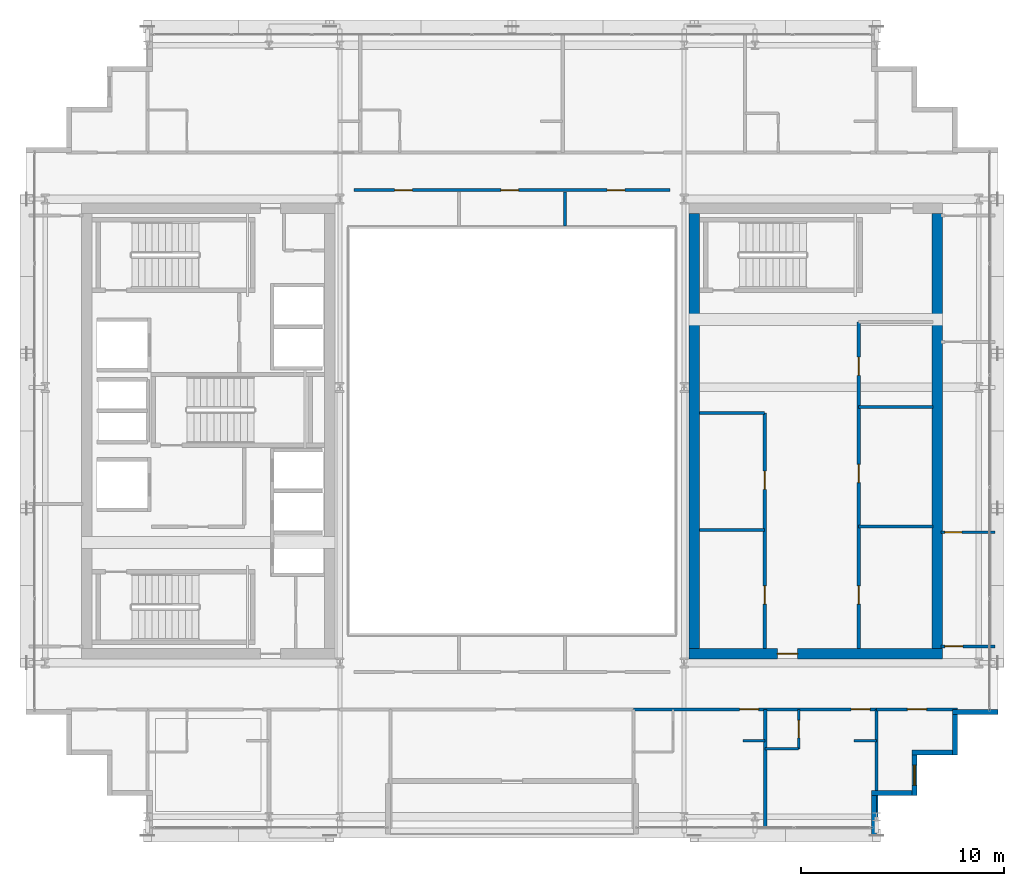
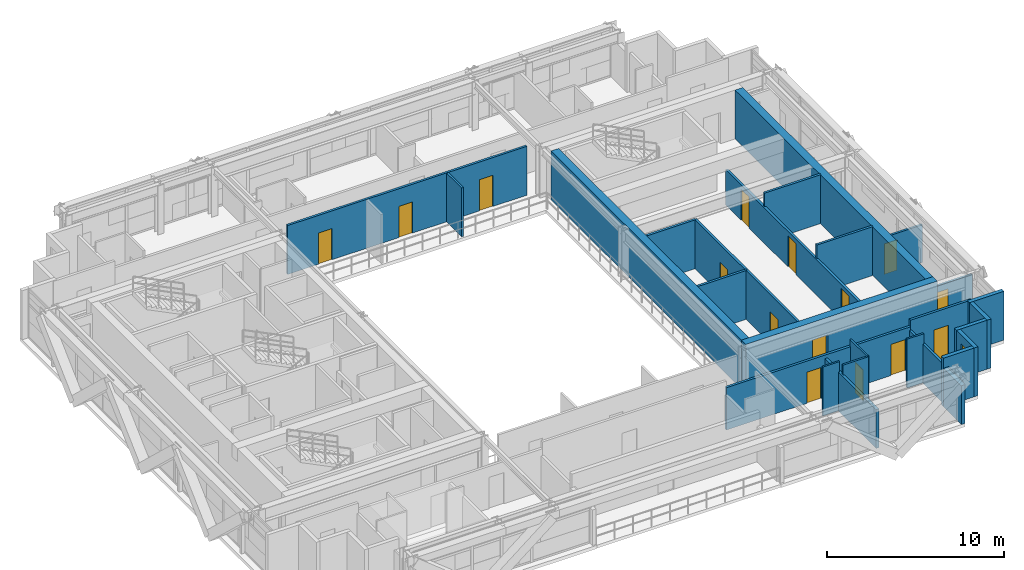
# One storey, part 26 of 32: 27 walls, 15 doors, 1 window, 16 openings.
"""IFC4 building model written with IfcOpenShell, lengths in metres."""

import ifcopenshell
import ifcopenshell.guid

model = None  # the IFC model being written
_history = None  # IfcOwnerHistory: only IFC2X3 demands one
_inside = {}  # id of a spatial element -> (the spatial element, [elements in it])
_under = {}  # id of a project, library or spatial element -> (it, [spatial elements below it])
_declared = {}  # id of a project -> (the project, [libraries it declares])
_typed = {}  # id of a type object -> (the type object, [elements of that type])
_made_of = {}  # id of a material, layer set ... -> (it, [elements and type objects made of it])


def new_model(schema):
    """Start an empty IFC model of exactly this schema.

    Asked for "IFC4X3", IfcOpenShell would pick the latest addendum, in which some entities
    have other attributes; the version numbers below select the first issue.
    IFC2X3 requires an IfcOwnerHistory on every rooted entity: one is made here for all.
    """
    global model, _history
    if schema == "IFC4X3":
        model = ifcopenshell.file(schema_version=(4, 3, 0, 0))
    else:
        model = ifcopenshell.file(schema=schema)
    _inside.clear()
    _under.clear()
    _declared.clear()
    _typed.clear()
    _made_of.clear()
    _history = None
    if model.schema == "IFC2X3":
        org = make("IfcOrganization", Name="unknown")
        user = make(
            "IfcPersonAndOrganization",
            ThePerson=make("IfcPerson", FamilyName="unknown"),
            TheOrganization=org,
        )
        app = make(
            "IfcApplication",
            ApplicationDeveloper=org,
            Version="unknown",
            ApplicationFullName="unknown",
            ApplicationIdentifier="unknown",
        )
        _history = make(
            "IfcOwnerHistory",
            OwningUser=user,
            OwningApplication=app,
            ChangeAction="ADDED",
            CreationDate=0,
        )
    return model


def make(cls, **values):
    """One entity of the class cls with the attributes given. An attribute that is None is left unset."""
    return model.create_entity(
        cls, **{name: value for name, value in values.items() if value is not None}
    )


def rooted(cls, **values):
    """An entity with a GlobalId (a new one), such as an element, a storey or a relation."""
    return make(cls, GlobalId=ifcopenshell.guid.new(), OwnerHistory=_history, **values)


def si_unit(unit_type, name, prefix=None):
    """IfcSIUnit, for example si_unit("LENGTHUNIT", "METRE", prefix="MILLI")."""
    return make("IfcSIUnit", UnitType=unit_type, Prefix=prefix, Name=name)


def assignment(units):
    """IfcUnitAssignment: the units of a project."""
    return None if units is None else make("IfcUnitAssignment", Units=units)


def point(xyz):
    """IfcCartesianPoint."""
    return None if xyz is None else make("IfcCartesianPoint", Coordinates=xyz)


def direction(xyz):
    """IfcDirection."""
    return None if xyz is None else make("IfcDirection", DirectionRatios=xyz)


def frame(location, z_axis=None, x_axis=None):
    """IfcAxis2Placement3D, a coordinate frame: its origin and axes. An axis left out is left unset."""
    return make(
        "IfcAxis2Placement3D",
        Location=point(location),
        Axis=direction(z_axis),
        RefDirection=direction(x_axis),
    )


def frame_2d(location, x_axis=None):
    """IfcAxis2Placement2D, a coordinate frame in the plane: its origin and x axis."""
    return make(
        "IfcAxis2Placement2D", Location=point(location), RefDirection=direction(x_axis)
    )


def origin():
    """The frame at (0, 0, 0) with its axes left unset."""
    return frame((0.0, 0.0, 0.0))


def place(relative_to, where):
    """IfcLocalPlacement: puts the frame where relative to a parent placement (None: the world)."""
    return make(
        "IfcLocalPlacement", PlacementRelTo=relative_to, RelativePlacement=where
    )


def context(
    kind, dimensions, precision=None, world=None, true_north=None, identifier=None
):
    """IfcGeometricRepresentationContext, for example the 3D "Model" context."""
    return make(
        "IfcGeometricRepresentationContext",
        ContextIdentifier=identifier,
        ContextType=kind,
        CoordinateSpaceDimension=dimensions,
        Precision=precision,
        WorldCoordinateSystem=world,
        TrueNorth=true_north,
    )


def subcontext(parent, identifier, kind, view, scale=None):
    """IfcGeometricRepresentationSubContext, for example "Body" below "Model"."""
    return make(
        "IfcGeometricRepresentationSubContext",
        ContextIdentifier=identifier,
        ContextType=kind,
        ParentContext=parent,
        TargetScale=scale,
        TargetView=view,
    )


def project(units=None, contexts=None):
    """IfcProject with its units and contexts."""
    return rooted(
        "IfcProject",
        Name="project",
        RepresentationContexts=contexts,
        UnitsInContext=assignment(units),
    )


def spatial(cls, under=None, at=None, **own):
    """A site, building, storey or space (cls), placed at a placement, below another one or the project."""
    s = rooted(cls, ObjectPlacement=at, **own)
    if under is not None:
        _under.setdefault(under.id(), (under, []))[1].append(s)
    return s


def profile(cls, at=None, kind="AREA", **sizes):
    """A parametric profile (cls). Its sizes go by their IFC names, for example OverallWidth=200.0."""
    return make(cls, ProfileType=kind, Position=at, **sizes)


def rectangle(**sizes):
    """IfcRectangleProfileDef."""
    return profile("IfcRectangleProfileDef", **sizes)


def extrude(swept, where, along, depth):
    """IfcExtrudedAreaSolid: the profile swept, set in the frame where, extruded along a direction by depth."""
    return make(
        "IfcExtrudedAreaSolid",
        SweptArea=swept,
        Position=where,
        ExtrudedDirection=direction(along),
        Depth=depth,
    )


def shape(context_of_items, identifier, shape_type, items):
    """IfcShapeRepresentation: the items that make up one representation, for example the "Body"."""
    return make(
        "IfcShapeRepresentation",
        ContextOfItems=context_of_items,
        RepresentationIdentifier=identifier,
        RepresentationType=shape_type,
        Items=items,
    )


def source(mapping_origin, context_of_items, identifier, shape_type, items):
    """IfcRepresentationMap: a shape defined once, which mapped items show again and again."""
    return make(
        "IfcRepresentationMap",
        MappingOrigin=mapping_origin,
        MappedRepresentation=shape(context_of_items, identifier, shape_type, items),
    )


def transform(
    local_origin,
    x_axis=None,
    y_axis=None,
    z_axis=None,
    scale=None,
    scale2=None,
    scale3=None,
    uniform=True,
):
    """IfcCartesianTransformationOperator3D, or its non-uniform kind. x_axis, y_axis, z_axis: its Axis1, 2, 3."""
    if uniform:
        return make(
            "IfcCartesianTransformationOperator3D",
            Axis1=direction(x_axis),
            Axis2=direction(y_axis),
            LocalOrigin=point(local_origin),
            Scale=scale,
            Axis3=direction(z_axis),
        )
    return make(
        "IfcCartesianTransformationOperator3DnonUniform",
        Axis1=direction(x_axis),
        Axis2=direction(y_axis),
        LocalOrigin=point(local_origin),
        Scale=scale,
        Axis3=direction(z_axis),
        Scale2=scale2,
        Scale3=scale3,
    )


def mapped(mapping_source, mapping_target):
    """IfcMappedItem: shows the shape of a source again, moved by a transform."""
    return make(
        "IfcMappedItem", MappingSource=mapping_source, MappingTarget=mapping_target
    )


def material(Name=None, Category=None):
    """IfcMaterial."""
    return make("IfcMaterial", Name=Name, Category=Category)


def layer(
    of_material, thickness, ventilated=None, Name=None, Category=None, Priority=None
):
    """IfcMaterialLayer: one layer of a wall or slab, of a material (None: an air gap)."""
    return make(
        "IfcMaterialLayer",
        Material=of_material,
        LayerThickness=thickness,
        IsVentilated=ventilated,
        Name=Name,
        Category=Category,
        Priority=Priority,
    )


def layer_set(layers, Name=None):
    """IfcMaterialLayerSet."""
    return make("IfcMaterialLayerSet", MaterialLayers=layers, LayerSetName=Name)


def made_of(thing, what):
    """Note that an element or type object is made of a material, layer set ...; save() writes the relation."""
    if what is not None:
        _made_of.setdefault(what.id(), (what, []))[1].append(thing)
    return thing


def type_object(cls, material=None, **own):
    """A type object (cls), such as IfcWallType, which elements share."""
    return made_of(rooted(cls, **own), material)


def element(
    cls,
    number,
    at=None,
    inside=None,
    cuts=None,
    type_object=None,
    material=None,
    context=None,
    identifier="Body",
    shape_type=None,
    held_by="IfcProductDefinitionShape",
    body=None,
    shapes=None,
    **own,
):
    """One element of the class cls, such as IfcWall. Its Tag is "e" and its number.

    at: its placement. inside: the storey or other place that contains it. cuts: it is an
    opening in that element (IfcRelVoidsElement). A single representation is given by context,
    identifier, shape_type and body (its items); several are given by shapes. held_by: the class
    of the entity that holds the representations. save() writes the other relations.
    """
    e = rooted(cls, Tag="e%d" % number, ObjectPlacement=at, **own)
    if body is not None:
        shapes = [shape(context, identifier, shape_type, body)]
    if shapes is not None:
        e.Representation = make(held_by, Representations=shapes)
    if inside is not None:
        _inside.setdefault(inside.id(), (inside, []))[1].append(e)
    if cuts is not None:
        rooted(
            "IfcRelVoidsElement", RelatingBuildingElement=cuts, RelatedOpeningElement=e
        )
    if type_object is not None:
        _typed.setdefault(type_object.id(), (type_object, []))[1].append(e)
    return made_of(e, material)


def fill(opening, filler):
    """IfcRelFillsElement: the door or window that sits in an opening."""
    return rooted(
        "IfcRelFillsElement",
        RelatingOpeningElement=opening,
        RelatedBuildingElement=filler,
    )


def aggregate(whole, parts):
    """IfcRelAggregates: a whole, such as a stair, and the parts it consists of."""
    return rooted("IfcRelAggregates", RelatingObject=whole, RelatedObjects=parts)


def save(model, path):
    """Write the relations noted so far, then the file.

    IfcRelAggregates (storeys below a building ...), IfcRelContainedInSpatialStructure (elements
    in a storey), IfcRelDefinesByType, IfcRelAssociatesMaterial and IfcRelDeclares: one each for
    every whole, place, type object, material and project.
    """
    for whole, parts in _under.values():
        aggregate(whole, parts)
    for where, things in _inside.values():
        rooted(
            "IfcRelContainedInSpatialStructure",
            RelatedElements=things,
            RelatingStructure=where,
        )
    for kind, things in _typed.values():
        rooted("IfcRelDefinesByType", RelatedObjects=things, RelatingType=kind)
    for what, things in _made_of.values():
        rooted("IfcRelAssociatesMaterial", RelatedObjects=things, RelatingMaterial=what)
    for by, libraries in _declared.values():
        rooted("IfcRelDeclares", RelatingContext=by, RelatedDefinitions=libraries)
    model.write(path)


model = new_model("IFC4")

# Units and contexts
model_context = context("Model", 3, precision=1e-05, world=origin(), true_north=direction((0.0, 1.0)))
body_context = subcontext(model_context, "Body", "Model", "MODEL_VIEW")
ifc_project = project(units=[si_unit("LENGTHUNIT", "METRE"), si_unit("AREAUNIT", "SQUARE_METRE"), si_unit("VOLUMEUNIT", "CUBIC_METRE"), si_unit("PLANEANGLEUNIT", "RADIAN"), si_unit("MASSUNIT", "GRAM", prefix="KILO")], contexts=[model_context])

# Site, building, storey
site_placement = place(None, origin())
site = spatial("IfcSite", under=ifc_project, at=site_placement, CompositionType="ELEMENT")
building_placement = place(site_placement, origin())
building = spatial("IfcBuilding", under=site, at=building_placement, Name="Ocotamira Hotel", CompositionType="ELEMENT")
storey_placement = place(building_placement, frame((0.0, 0.0, 213.60009765625)))
storey = spatial("IfcBuildingStorey", under=building, at=storey_placement, Name="L54", CompositionType="ELEMENT", Elevation=213.60009765625)

# Wall, opening, door
ifc_material_1 = material(Name="Concrete C50/60", Category="concrete")
ifc_layer_1 = layer(ifc_material_1, 0.5)
ifc_layer_set_1 = layer_set([ifc_layer_1], Name="Concrete C50/60")
wall_type_1 = type_object("IfcWallType", Name="WL-CORE-500", PredefinedType="SHEAR", material=ifc_layer_set_1)
wall_1_placement = place(storey_placement, frame((40.75, 15.0, 0.0), z_axis=(0.0, 0.0, 1.0), x_axis=(1.0, 0.0, 0.0)))
wall_1 = element("IfcWall", 1, at=wall_1_placement, inside=storey, type_object=wall_type_1, Name="L54 Shear Core Wall ECORE-S", PredefinedType="SHEAR", context=body_context, shape_type="SweptSolid", body=[
    extrude(rectangle(XDim=12.5, YDim=0.5, at=frame_2d((6.25, 0.0))), origin(), (0.0, 0.0, 1.0), 3.369873046875),
])
opening_1_placement = place(wall_1_placement, frame((4.35009765625, 0.0, 0.0)))
opening_1 = element("IfcOpeningElement", 2, at=opening_1_placement, cuts=wall_1, Name="Opening D-FR2", PredefinedType="OPENING", context=body_context, shape_type="SweptSolid", body=[
    extrude(rectangle(XDim=1.0, YDim=2.14990234375, at=frame_2d((0.5, 1.074951171875))), frame((0.0, 0.260009765625, 0.0), z_axis=(0.0, -1.0, 0.0), x_axis=(1.0, 0.0, 0.0)), (0.0, 0.0, 1.0), 0.52001953125),
])
ifc_material_2 = material(Name="Fire-rated acoustic timber-veneer door", Category="wood")
door_type_1 = type_object("IfcDoorType", Name="DR-FIRE-1000", OperationType="NOTDEFINED", PredefinedType="DOOR", material=ifc_material_2)
shared_shape_1 = source(origin(), body_context, "Body", "SweptSolid", [
    extrude(rectangle(XDim=1.0, YDim=2.14990234375, at=frame_2d((0.5, 1.074951171875))), frame((0.0, 0.02490234375, 0.0), z_axis=(0.0, -1.0, 0.0), x_axis=(1.0, 0.0, 0.0)), (0.0, 0.0, 1.0), 0.050048828125),
])
door_1_placement = place(opening_1_placement, origin())
door_1 = element("IfcDoor", 3, at=door_1_placement, inside=storey, type_object=door_type_1, Name="L54 Door ID-L54-ELOB-S-D [ID-L54-ELOB-S-D]", OperationType="SINGLE_SWING_RIGHT", OverallHeight=2.14990234375, OverallWidth=1.0, PredefinedType="DOOR", context=body_context, shape_type="MappedRepresentation", body=[
    mapped(shared_shape_1, transform((0.0, 0.0, 0.0), scale=1.0)),
])
fill(opening_1, door_1)

# Walls
for number, where, z_axis, x_axis, name in (
    (4, (41.0, 15.25, 0.0), (0.0, 0.0, 1.0), (0.0, 1.0, 0.0), "L54 Shear Core Wall ECORE-W"),
    (5, (53.0, 15.25, 0.0), (0.0, 0.0, 1.0), (0.0, 1.0, 0.0), "L54 Shear Core Wall ECORE-E"),
):
    element("IfcWall", number, at=place(storey_placement, frame(where, z_axis=z_axis, x_axis=x_axis)), inside=storey, type_object=wall_type_1, Name=name, PredefinedType="SHEAR", context=body_context, shape_type="SweptSolid", body=[
        extrude(rectangle(XDim=21.5, YDim=0.5, at=frame_2d((10.75, 0.0))), origin(), (0.0, 0.0, 1.0), 3.369873046875),
    ])
ifc_material_3 = material(Name="Precast concrete C45/55", Category="concrete")
ifc_layer_2 = layer(ifc_material_3, 0.25)
ifc_layer_set_2 = layer_set([ifc_layer_2], Name="Precast concrete C45/55")
wall_type_2 = type_object("IfcWallType", Name="WL-EXT-SER-250", PredefinedType="SOLIDWALL", material=ifc_layer_set_2)
wall_2_placement = place(storey_placement, frame((49.875, 6.0, 0.0), z_axis=(0.0, 0.0, 1.0), x_axis=(0.0, 1.0, 0.0)))
element("IfcWall", 6, at=wall_2_placement, inside=storey, type_object=wall_type_2, Name="L54 Serrated Corner Wall 01", PredefinedType="SOLIDWALL", context=body_context, shape_type="SweptSolid", body=[
    extrude(rectangle(XDim=2.0, YDim=0.25, at=frame_2d((1.0, 0.0))), origin(), (0.0, 0.0, 1.0), 2.677001953125),
])
wall_3_placement = place(storey_placement, frame((49.75, 8.125, 0.0), z_axis=(0.0, 0.0, 1.0), x_axis=(1.0, 0.0, 0.0)))
element("IfcWall", 7, at=wall_3_placement, inside=storey, type_object=wall_type_2, Name="L54 Serrated Corner Wall 02", PredefinedType="SOLIDWALL", context=body_context, shape_type="SweptSolid", body=[
    extrude(rectangle(XDim=2.0, YDim=0.25, at=frame_2d((1.0, 0.0))), origin(), (0.0, 0.0, 1.0), 3.369873046875),
])

# Wall, opening, window
wall_4_placement = place(storey_placement, frame((51.875, 8.0, 0.0), z_axis=(0.0, 0.0, 1.0), x_axis=(0.0, 1.0, 0.0)))
wall_4 = element("IfcWall", 8, at=wall_4_placement, inside=storey, type_object=wall_type_2, Name="L54 Serrated Corner Wall 03", PredefinedType="SOLIDWALL", context=body_context, shape_type="SweptSolid", body=[
    extrude(rectangle(XDim=2.0, YDim=0.25, at=frame_2d((1.0, 0.0))), origin(), (0.0, 0.0, 1.0), 3.369873046875),
])
opening_2_placement = place(wall_4_placement, frame((0.5, 0.0, 0.85009765625)))
opening_2 = element("IfcOpeningElement", 9, at=opening_2_placement, cuts=wall_4, Name="Opening WN-2", PredefinedType="OPENING", context=body_context, shape_type="SweptSolid", body=[
    extrude(rectangle(XDim=1.0, YDim=1.89990234375, at=frame_2d((0.5, 0.949951171875))), frame((0.0, 0.135009765625, 0.0), z_axis=(0.0, -1.0, 0.0), x_axis=(1.0, 0.0, 0.0)), (0.0, 0.0, 1.0), 0.27001953125),
])
ifc_material_4 = material(Name="Double-silver low-E solar glass", Category="glass")
window_type = type_object("IfcWindowType", Name="WIN-SER-1100", PartitioningType="SINGLE_PANEL", PredefinedType="WINDOW", material=ifc_material_4)
shared_shape_2 = source(origin(), body_context, "Body", "SweptSolid", [
    extrude(rectangle(XDim=1.0, YDim=1.89990234375, at=frame_2d((0.5, 0.949951171875))), frame((0.0, 0.030029296875, 0.0), z_axis=(0.0, -1.0, 0.0), x_axis=(1.0, 0.0, 0.0)), (0.0, 0.0, 1.0), 0.06005859375),
])
window_placement = place(opening_2_placement, origin())
window = element("IfcWindow", 10, at=window_placement, inside=storey, type_object=window_type, Name="L54 Serrated Corner Window 03", OverallHeight=1.89990234375, OverallWidth=1.0, PartitioningType="SINGLE_PANEL", PredefinedType="WINDOW", context=body_context, shape_type="MappedRepresentation", body=[
    mapped(shared_shape_2, transform((0.0, 0.0, 0.0), scale=1.0)),
])
fill(opening_2, window)

# Walls
for number, where, z_axis, x_axis, name in (
    (11, (51.75, 10.125, 0.0), (0.0, 0.0, 1.0), (1.0, 0.0, 0.0), "L54 Serrated Corner Wall 04"),
    (12, (53.875, 10.0, 0.0), (0.0, 0.0, 1.0), (0.0, 1.0, 0.0), "L54 Serrated Corner Wall 05"),
):
    element("IfcWall", number, at=place(storey_placement, frame(where, z_axis=z_axis, x_axis=x_axis)), inside=storey, type_object=wall_type_2, Name=name, PredefinedType="SOLIDWALL", context=body_context, shape_type="SweptSolid", body=[
        extrude(rectangle(XDim=2.0, YDim=0.25, at=frame_2d((1.0, 0.0))), origin(), (0.0, 0.0, 1.0), 3.369873046875),
    ])
wall_5_placement = place(storey_placement, frame((53.75, 12.125, 0.0), z_axis=(0.0, 0.0, 1.0), x_axis=(1.0, 0.0, 0.0)))
element("IfcWall", 13, at=wall_5_placement, inside=storey, type_object=wall_type_2, Name="L54 Serrated Corner Wall 06", PredefinedType="SOLIDWALL", context=body_context, shape_type="SweptSolid", body=[
    extrude(rectangle(XDim=2.25, YDim=0.25, at=frame_2d((1.125, 0.0))), origin(), (0.0, 0.0, 1.0), 3.369873046875),
])

# Wall, openings, doors
ifc_material_5 = material(Name="Acoustic double-layer fire gypsum board partition", Category="gypsum")
ifc_layer_3 = layer(ifc_material_5, 0.159912109375)
ifc_layer_set_3 = layer_set([ifc_layer_3], Name="Acoustic double-layer fire gypsum board partition")
wall_type_3 = type_object("IfcWallType", Name="WL-FIRE-160", PredefinedType="PARTITIONING", material=ifc_layer_set_3)
wall_6_placement = place(storey_placement, frame((49.1201171875, 15.25, 0.0), z_axis=(0.0, 0.0, 1.0), x_axis=(0.0, 1.0, 0.0)))
wall_6 = element("IfcWall", 14, at=wall_6_placement, inside=storey, type_object=wall_type_3, Name="L54 Interior Wall PW-L54-EC-FLOW-W", PredefinedType="PARTITIONING", context=body_context, shape_type="SweptSolid", body=[
    extrude(rectangle(XDim=16.1298828125, YDim=0.159912109375, at=frame_2d((8.06494140625, 0.0))), origin(), (0.0, 0.0, 1.0), 2.44287109375),
])
opening_3_placement = place(wall_6_placement, frame((2.199951171875, 0.0, 0.0)))
opening_3 = element("IfcOpeningElement", 15, at=opening_3_placement, cuts=wall_6, Name="Opening D-IN3", PredefinedType="OPENING", context=body_context, shape_type="SweptSolid", body=[
    extrude(rectangle(XDim=0.89990234375, YDim=2.14990234375, at=frame_2d((0.449951171875, 1.074951171875))), frame((0.0, 0.08984375, 0.0), z_axis=(0.0, -1.0, 0.0), x_axis=(1.0, 0.0, 0.0)), (0.0, 0.0, 1.0), 0.179931640625),
])
opening_4_placement = place(wall_6_placement, frame((8.199951171875, 0.0, 0.0)))
opening_4 = element("IfcOpeningElement", 16, at=opening_4_placement, cuts=wall_6, Name="Opening D-IN3", PredefinedType="OPENING", context=body_context, shape_type="SweptSolid", body=[
    extrude(rectangle(XDim=0.89990234375, YDim=2.14990234375, at=frame_2d((0.449951171875, 1.074951171875))), frame((0.0, 0.08984375, 0.0), z_axis=(0.0, -1.0, 0.0), x_axis=(1.0, 0.0, 0.0)), (0.0, 0.0, 1.0), 0.179931640625),
])
opening_5_placement = place(wall_6_placement, frame((13.5, 0.0, 0.0)))
opening_5 = element("IfcOpeningElement", 17, at=opening_5_placement, cuts=wall_6, Name="Opening D-IN3", PredefinedType="OPENING", context=body_context, shape_type="SweptSolid", body=[
    extrude(rectangle(XDim=0.89990234375, YDim=2.14990234375, at=frame_2d((0.449951171875, 1.074951171875))), frame((0.0, 0.08984375, 0.0), z_axis=(0.0, -1.0, 0.0), x_axis=(1.0, 0.0, 0.0)), (0.0, 0.0, 1.0), 0.179931640625),
])
ifc_material_6 = material(Name="Painted service room door", Category="steel")
door_type_2 = type_object("IfcDoorType", Name="DR-INT-900", OperationType="NOTDEFINED", PredefinedType="DOOR", material=ifc_material_6)
shared_shape_3 = source(origin(), body_context, "Body", "SweptSolid", [
    extrude(rectangle(XDim=0.89990234375, YDim=2.14990234375, at=frame_2d((0.449951171875, 1.074951171875))), frame((0.0, 0.02490234375, 0.0), z_axis=(0.0, -1.0, 0.0), x_axis=(1.0, 0.0, 0.0)), (0.0, 0.0, 1.0), 0.050048828125),
])
door_2_placement = place(opening_3_placement, origin())
door_2 = element("IfcDoor", 18, at=door_2_placement, inside=storey, type_object=door_type_2, Name="L54 Door ID-L54-EC-FLOW-D1 [ID-L54-EC-FLOW-D1]", OperationType="SINGLE_SWING_LEFT", OverallHeight=2.14990234375, OverallWidth=0.89990234375, PredefinedType="DOOR", context=body_context, shape_type="MappedRepresentation", body=[
    mapped(shared_shape_3, transform((0.0, 0.0, 0.0), scale=1.0)),
])
fill(opening_3, door_2)
door_3_placement = place(opening_4_placement, origin())
door_3 = element("IfcDoor", 19, at=door_3_placement, inside=storey, type_object=door_type_2, Name="L54 Door ID-L54-EC-FLOW-D2 [ID-L54-EC-FLOW-D2]", OperationType="SINGLE_SWING_RIGHT", OverallHeight=2.14990234375, OverallWidth=0.89990234375, PredefinedType="DOOR", context=body_context, shape_type="MappedRepresentation", body=[
    mapped(shared_shape_3, transform((0.0, 0.0, 0.0), scale=1.0)),
])
fill(opening_4, door_3)
door_4_placement = place(opening_5_placement, origin())
door_4 = element("IfcDoor", 20, at=door_4_placement, inside=storey, type_object=door_type_2, Name="L54 Door ID-L54-EC-FLOW-D3 [ID-L54-EC-FLOW-D3]", OperationType="SINGLE_SWING_LEFT", OverallHeight=2.14990234375, OverallWidth=0.89990234375, PredefinedType="DOOR", context=body_context, shape_type="MappedRepresentation", body=[
    mapped(shared_shape_3, transform((0.0, 0.0, 0.0), scale=1.0)),
])
fill(opening_5, door_4)

# Wall, opening, door
wall_7_placement = place(storey_placement, frame((50.0, 12.25, 0.0), z_axis=(0.0, 0.0, 1.0), x_axis=(1.0, 0.0, 0.0)))
wall_7 = element("IfcWall", 21, at=wall_7_placement, inside=storey, type_object=wall_type_3, Name="L54 Interior Wall PW-L54-Z3F-CSE-CW", PredefinedType="PARTITIONING", context=body_context, shape_type="SweptSolid", body=[
    extrude(rectangle(XDim=4.0, YDim=0.159912109375, at=frame_2d((2.0, 0.0))), origin(), (0.0, 0.0, 1.0), 3.369873046875),
])
opening_6_placement = place(wall_7_placement, frame((1.52001953125, 0.0, 0.0)))
opening_6 = element("IfcOpeningElement", 22, at=opening_6_placement, cuts=wall_7, Name="Opening D-SV4", PredefinedType="OPENING", context=body_context, shape_type="SweptSolid", body=[
    extrude(rectangle(XDim=0.9599609375, YDim=2.14990234375, at=frame_2d((0.47998046875, 1.074951171875))), frame((0.0, 0.08984375, 0.0), z_axis=(0.0, -1.0, 0.0), x_axis=(1.0, 0.0, 0.0)), (0.0, 0.0, 1.0), 0.179931640625),
])
ifc_material_7 = material(Name="Fire-rated accessible walnut salon door", Category="wood")
door_type_3 = type_object("IfcDoorType", Name="DR-SERV-960", OperationType="NOTDEFINED", PredefinedType="DOOR", material=ifc_material_7)
shared_shape_4 = source(origin(), body_context, "Body", "SweptSolid", [
    extrude(rectangle(XDim=0.9599609375, YDim=2.14990234375, at=frame_2d((0.47998046875, 1.074951171875))), frame((0.0, 0.02490234375, 0.0), z_axis=(0.0, -1.0, 0.0), x_axis=(1.0, 0.0, 0.0)), (0.0, 0.0, 1.0), 0.050048828125),
])
door_5_placement = place(opening_6_placement, origin())
door_5 = element("IfcDoor", 23, at=door_5_placement, inside=storey, type_object=door_type_3, Name="L54 Door ID-L54-Z3F-CSE-CD [ID-L54-Z3F-CSE-CD]", OperationType="SINGLE_SWING_LEFT", OverallHeight=2.14990234375, OverallWidth=0.9599609375, PredefinedType="DOOR", context=body_context, shape_type="MappedRepresentation", body=[
    mapped(shared_shape_4, transform((0.0, 0.0, 0.0), scale=1.0)),
])
fill(opening_6, door_5)

# Wall, openings, doors
wall_8_placement = place(storey_placement, frame((38.0, 12.25, 0.0), z_axis=(0.0, 0.0, 1.0), x_axis=(1.0, 0.0, 0.0)))
wall_8 = element("IfcWall", 24, at=wall_8_placement, inside=storey, type_object=wall_type_3, Name="L54 Interior Wall PW-L54-Z3FSE-CORRW", PredefinedType="PARTITIONING", context=body_context, shape_type="SweptSolid", body=[
    extrude(rectangle(XDim=12.0, YDim=0.159912109375, at=frame_2d((6.0, 0.0))), origin(), (0.0, 0.0, 1.0), 2.912841796875),
])
opening_7_placement = place(wall_8_placement, frame((5.239990234375, 0.0, 0.0)))
opening_7 = element("IfcOpeningElement", 25, at=opening_7_placement, cuts=wall_8, Name="Opening D-GR1", PredefinedType="OPENING", context=body_context, shape_type="SweptSolid", body=[
    extrude(rectangle(XDim=0.93994140625, YDim=2.14990234375, at=frame_2d((0.469970703125, 1.074951171875))), frame((0.0, 0.08984375, 0.0), z_axis=(0.0, -1.0, 0.0), x_axis=(1.0, 0.0, 0.0)), (0.0, 0.0, 1.0), 0.179931640625),
])
opening_8_placement = place(wall_8_placement, frame((10.739990234375, 0.0, 0.0)))
opening_8 = element("IfcOpeningElement", 26, at=opening_8_placement, cuts=wall_8, Name="Opening D-GR1", PredefinedType="OPENING", context=body_context, shape_type="SweptSolid", body=[
    extrude(rectangle(XDim=0.93994140625, YDim=2.14990234375, at=frame_2d((0.469970703125, 1.074951171875))), frame((0.0, 0.08984375, 0.0), z_axis=(0.0, -1.0, 0.0), x_axis=(1.0, 0.0, 0.0)), (0.0, 0.0, 1.0), 0.179931640625),
])
ifc_material_8 = material(Name="Solid-core walnut suite entrance fire door", Category="wood")
door_type_4 = type_object("IfcDoorType", Name="DR-GUEST-940", OperationType="NOTDEFINED", PredefinedType="DOOR", material=ifc_material_8)
shared_shape_5 = source(origin(), body_context, "Body", "SweptSolid", [
    extrude(rectangle(XDim=0.93994140625, YDim=2.14990234375, at=frame_2d((0.469970703125, 1.074951171875))), frame((0.0, 0.02490234375, 0.0), z_axis=(0.0, -1.0, 0.0), x_axis=(1.0, 0.0, 0.0)), (0.0, 0.0, 1.0), 0.050048828125),
])
door_6_placement = place(opening_7_placement, origin())
door_6 = element("IfcDoor", 27, at=door_6_placement, inside=storey, type_object=door_type_4, Name="L54 Door ID-L54-Z3FSE-RMD1 [ID-L54-Z3FSE-RMD1]", OperationType="SINGLE_SWING_LEFT", OverallHeight=2.14990234375, OverallWidth=0.93994140625, PredefinedType="DOOR", context=body_context, shape_type="MappedRepresentation", body=[
    mapped(shared_shape_5, transform((0.0, 0.0, 0.0), scale=1.0)),
])
fill(opening_7, door_6)
door_7_placement = place(opening_8_placement, origin())
door_7 = element("IfcDoor", 28, at=door_7_placement, inside=storey, type_object=door_type_4, Name="L54 Door ID-L54-Z3FSE-RMD2 [ID-L54-Z3FSE-RMD2]", OperationType="SINGLE_SWING_RIGHT", OverallHeight=2.14990234375, OverallWidth=0.93994140625, PredefinedType="DOOR", context=body_context, shape_type="MappedRepresentation", body=[
    mapped(shared_shape_5, transform((0.0, 0.0, 0.0), scale=1.0)),
])
fill(opening_8, door_7)

# Wall
ifc_material_9 = material(Name="Moisture-resistant en-suite tile and gypsum partition", Category="gypsum")
ifc_layer_4 = layer(ifc_material_9, 0.1201171875)
ifc_layer_set_4 = layer_set([ifc_layer_4], Name="Moisture-resistant en-suite tile and gypsum partition")
wall_type_4 = type_object("IfcWallType", Name="WL-PART-120", PredefinedType="PARTITIONING", material=ifc_layer_set_4)
wall_9_placement = place(storey_placement, frame((43.39990234375, 10.699951171875, 0.0), z_axis=(0.0, 0.0, 1.0), x_axis=(1.0, 0.0, 0.0)))
element("IfcWall", 29, at=wall_9_placement, inside=storey, type_object=wall_type_4, Name="L54 Interior Wall PW-L54-Z3FSE-DRN1", PredefinedType="PARTITIONING", context=body_context, shape_type="SweptSolid", body=[
    extrude(rectangle(XDim=1.10009765625, YDim=0.1201171875, at=frame_2d((0.550048828125, 0.0))), origin(), (0.0, 0.0, 1.0), 3.369873046875),
])

# Wall, opening, door
wall_10_placement = place(storey_placement, frame((46.14990234375, 10.300048828125, 0.0), z_axis=(0.0, 0.0, 1.0), x_axis=(0.0, 1.0, 0.0)))
wall_10 = element("IfcWall", 30, at=wall_10_placement, inside=storey, type_object=wall_type_4, Name="L54 Interior Wall PW-L54-Z3FSE-BAE2", PredefinedType="PARTITIONING", context=body_context, shape_type="SweptSolid", body=[
    extrude(rectangle(XDim=1.949951171875, YDim=0.1201171875, at=frame_2d((0.97509765625, 0.0))), origin(), (0.0, 0.0, 1.0), 3.369873046875),
])
opening_9_placement = place(wall_10_placement, frame((0.544921875, 0.0, 0.0)))
opening_9 = element("IfcOpeningElement", 31, at=opening_9_placement, cuts=wall_10, Name="Opening D-BA1", PredefinedType="OPENING", context=body_context, shape_type="SweptSolid", body=[
    extrude(rectangle(XDim=0.860107421875, YDim=2.10009765625, at=frame_2d((0.43017578125, 1.050048828125))), frame((0.0, 0.070068359375, 0.0), z_axis=(0.0, -1.0, 0.0), x_axis=(1.0, 0.0, 0.0)), (0.0, 0.0, 1.0), 0.14013671875),
])
ifc_material_10 = material(Name="Moisture-sealed en-suite timber door", Category="wood")
door_type_5 = type_object("IfcDoorType", Name="DR-BATH-860", OperationType="NOTDEFINED", PredefinedType="DOOR", material=ifc_material_10)
shared_shape_6 = source(origin(), body_context, "Body", "SweptSolid", [
    extrude(rectangle(XDim=0.860107421875, YDim=2.10009765625, at=frame_2d((0.43017578125, 1.050048828125))), frame((0.0, 0.02490234375, 0.0), z_axis=(0.0, -1.0, 0.0), x_axis=(1.0, 0.0, 0.0)), (0.0, 0.0, 1.0), 0.050048828125),
])
door_8_placement = place(opening_9_placement, origin())
door_8 = element("IfcDoor", 32, at=door_8_placement, inside=storey, type_object=door_type_5, Name="L54 Door ID-L54-Z3FSE-BAD2 [ID-L54-Z3FSE-BAD2]", OperationType="SINGLE_SWING_LEFT", OverallHeight=2.10009765625, OverallWidth=0.860107421875, PredefinedType="DOOR", context=body_context, shape_type="MappedRepresentation", body=[
    mapped(shared_shape_6, transform((0.0, 0.0, 0.0), scale=1.0)),
])
fill(opening_9, door_8)

# Walls
wall_11_placement = place(storey_placement, frame((44.5, 10.300048828125, 0.0), z_axis=(0.0, 0.0, 1.0), x_axis=(1.0, 0.0, 0.0)))
element("IfcWall", 33, at=wall_11_placement, inside=storey, type_object=wall_type_4, Name="L54 Interior Wall PW-L54-Z3FSE-BAS2", PredefinedType="PARTITIONING", context=body_context, shape_type="SweptSolid", body=[
    extrude(rectangle(XDim=1.64990234375, YDim=0.1201171875, at=frame_2d((0.824951171875, 0.0))), origin(), (0.0, 0.0, 1.0), 3.369873046875),
])
wall_12_placement = place(storey_placement, frame((48.89990234375, 10.699951171875, 0.0), z_axis=(0.0, 0.0, 1.0), x_axis=(1.0, 0.0, 0.0)))
element("IfcWall", 34, at=wall_12_placement, inside=storey, type_object=wall_type_4, Name="L54 Interior Wall PW-L54-Z3FSE-DRN2", PredefinedType="PARTITIONING", context=body_context, shape_type="SweptSolid", body=[
    extrude(rectangle(XDim=1.10009765625, YDim=0.1201171875, at=frame_2d((0.550048828125, 0.0))), origin(), (0.0, 0.0, 1.0), 3.369873046875),
])
ifc_material_11 = material(Name="Acoustic hospitality gypsum board partition", Category="gypsum")
ifc_layer_5 = layer(ifc_material_11, 0.14208984375)
ifc_layer_set_5 = layer_set([ifc_layer_5], Name="Acoustic hospitality gypsum board partition")
wall_type_5 = type_object("IfcWallType", Name="WL-PART-142", PredefinedType="PARTITIONING", material=ifc_layer_set_5)
wall_13_placement = place(storey_placement, frame((34.625, 36.1201171875, 0.0), z_axis=(0.0, 0.0, 1.0), x_axis=(0.0, 1.0, 0.0)))
element("IfcWall", 35, at=wall_13_placement, inside=storey, type_object=wall_type_5, Name="L54 Interior Wall PW-L54-Z3F-ANDV2", PredefinedType="PARTITIONING", context=body_context, shape_type="SweptSolid", body=[
    extrude(rectangle(XDim=1.679931640625, YDim=0.14208984375, at=frame_2d((0.83984375, 0.0))), origin(), (0.0, 0.0, 1.0), 3.369873046875),
])

# Wall, opening, door
wall_14_placement = place(storey_placement, frame((53.179931640625, 21.0, 0.0), z_axis=(0.0, 0.0, 1.0), x_axis=(1.0, 0.0, 0.0)))
wall_14 = element("IfcWall", 36, at=wall_14_placement, inside=storey, type_object=wall_type_5, Name="L54 Interior Wall PW-L54-Z3F-EF-DV1", PredefinedType="PARTITIONING", context=body_context, shape_type="SweptSolid", body=[
    extrude(rectangle(XDim=2.66015625, YDim=0.14208984375, at=frame_2d((1.330078125, 0.0))), origin(), (0.0, 0.0, 1.0), 2.5908203125),
])
opening_10_placement = place(wall_14_placement, frame((0.199951171875, 0.0, 0.0)))
opening_10 = element("IfcOpeningElement", 37, at=opening_10_placement, cuts=wall_14, Name="Opening D-SV1", PredefinedType="OPENING", context=body_context, shape_type="SweptSolid", body=[
    extrude(rectangle(XDim=0.840087890625, YDim=2.10009765625, at=frame_2d((0.419921875, 1.050048828125))), frame((0.0, 0.0810546875, 0.0), z_axis=(0.0, -1.0, 0.0), x_axis=(1.0, 0.0, 0.0)), (0.0, 0.0, 1.0), 0.162109375),
])
ifc_material_12 = material(Name="Fire-rated painted steel service door", Category="steel")
door_type_6 = type_object("IfcDoorType", Name="DR-SERV-840", OperationType="NOTDEFINED", PredefinedType="DOOR", material=ifc_material_12)
shared_shape_7 = source(origin(), body_context, "Body", "SweptSolid", [
    extrude(rectangle(XDim=0.840087890625, YDim=2.10009765625, at=frame_2d((0.419921875, 1.050048828125))), frame((0.0, 0.02490234375, 0.0), z_axis=(0.0, -1.0, 0.0), x_axis=(1.0, 0.0, 0.0)), (0.0, 0.0, 1.0), 0.050048828125),
])
door_9_placement = place(opening_10_placement, origin())
door_9 = element("IfcDoor", 38, at=door_9_placement, inside=storey, type_object=door_type_6, Name="L54 Door ID-L54-Z3F-EF-DV1D [ID-L54-Z3F-EF-DV1D]", OperationType="SINGLE_SWING_LEFT", OverallHeight=2.10009765625, OverallWidth=0.840087890625, PredefinedType="DOOR", context=body_context, shape_type="MappedRepresentation", body=[
    mapped(shared_shape_7, transform((0.0, 0.0, 0.0), scale=1.0)),
])
fill(opening_10, door_9)

# Walls
ifc_layer_6 = layer(ifc_material_11, 0.14990234375)
ifc_layer_set_6 = layer_set([ifc_layer_6], Name="Acoustic hospitality gypsum board partition")
wall_type_6 = type_object("IfcWallType", Name="WL-PART-150", PredefinedType="PARTITIONING", material=ifc_layer_set_6)
for number, where, z_axis, x_axis, name in (
    (39, (49.1201171875, 21.2900390625, 0.0), (0.0, 0.0, 1.0), (1.0, 0.0, 0.0), "L54 Interior Wall PW-L54-EC-FDIV1"),
    (40, (49.1201171875, 27.18994140625, 0.0), (0.0, 0.0, 1.0), (1.0, 0.0, 0.0), "L54 Interior Wall PW-L54-EC-FDIV2"),
):
    element("IfcWall", number, at=place(storey_placement, frame(where, z_axis=z_axis, x_axis=x_axis)), inside=storey, type_object=wall_type_6, Name=name, PredefinedType="PARTITIONING", context=body_context, shape_type="SweptSolid", body=[
        extrude(rectangle(XDim=3.679931640625, YDim=0.14990234375, at=frame_2d((1.83984375, 0.0))), origin(), (0.0, 0.0, 1.0), 3.369873046875),
    ])
for number, where, z_axis, x_axis, name in (
    (41, (41.25, 26.8798828125, 0.0), (0.0, 0.0, 1.0), (1.0, 0.0, 0.0), "L54 Interior Wall PW-L54-EC-FMID-N"),
    (42, (41.25, 21.1201171875, 0.0), (0.0, 0.0, 1.0), (1.0, 0.0, 0.0), "L54 Interior Wall PW-L54-EC-FMID-DIV"),
):
    element("IfcWall", number, at=place(storey_placement, frame(where, z_axis=z_axis, x_axis=x_axis)), inside=storey, type_object=wall_type_6, Name=name, PredefinedType="PARTITIONING", context=body_context, shape_type="SweptSolid", body=[
        extrude(rectangle(XDim=3.22998046875, YDim=0.14990234375, at=frame_2d((1.614990234375, 0.0))), origin(), (0.0, 0.0, 1.0), 3.369873046875),
    ])

# Wall, openings, doors
wall_15_placement = place(storey_placement, frame((44.47998046875, 15.25, 0.0), z_axis=(0.0, 0.0, 1.0), x_axis=(0.0, 1.0, 0.0)))
wall_15 = element("IfcWall", 43, at=wall_15_placement, inside=storey, type_object=wall_type_6, Name="L54 Interior Wall PW-L54-EC-FMID-E", PredefinedType="PARTITIONING", context=body_context, shape_type="SweptSolid", body=[
    extrude(rectangle(XDim=11.6298828125, YDim=0.14990234375, at=frame_2d((5.81494140625, 0.0))), origin(), (0.0, 0.0, 1.0), 3.369873046875),
])
opening_11_placement = place(wall_15_placement, frame((2.199951171875, 0.0, 0.0)))
opening_11 = element("IfcOpeningElement", 44, at=opening_11_placement, cuts=wall_15, Name="Opening D-IN3", PredefinedType="OPENING", context=body_context, shape_type="SweptSolid", body=[
    extrude(rectangle(XDim=0.89990234375, YDim=2.14990234375, at=frame_2d((0.449951171875, 1.074951171875))), frame((0.0, 0.0849609375, 0.0), z_axis=(0.0, -1.0, 0.0), x_axis=(1.0, 0.0, 0.0)), (0.0, 0.0, 1.0), 0.169921875),
])
opening_12_placement = place(wall_15_placement, frame((7.8701171875, 0.0, 0.0)))
opening_12 = element("IfcOpeningElement", 45, at=opening_12_placement, cuts=wall_15, Name="Opening D-IN3", PredefinedType="OPENING", context=body_context, shape_type="SweptSolid", body=[
    extrude(rectangle(XDim=0.89990234375, YDim=2.14990234375, at=frame_2d((0.449951171875, 1.074951171875))), frame((0.0, 0.0849609375, 0.0), z_axis=(0.0, -1.0, 0.0), x_axis=(1.0, 0.0, 0.0)), (0.0, 0.0, 1.0), 0.169921875),
])
door_10_placement = place(opening_11_placement, origin())
door_10 = element("IfcDoor", 46, at=door_10_placement, inside=storey, type_object=door_type_2, Name="L54 Door ID-L54-EC-FMID-D1 [ID-L54-EC-FMID-D1]", OperationType="SINGLE_SWING_RIGHT", OverallHeight=2.14990234375, OverallWidth=0.89990234375, PredefinedType="DOOR", context=body_context, shape_type="MappedRepresentation", body=[
    mapped(shared_shape_3, transform((0.0, 0.0, 0.0), scale=1.0)),
])
fill(opening_11, door_10)
door_11_placement = place(opening_12_placement, origin())
door_11 = element("IfcDoor", 47, at=door_11_placement, inside=storey, type_object=door_type_2, Name="L54 Door ID-L54-EC-FMID-D2 [ID-L54-EC-FMID-D2]", OperationType="SINGLE_SWING_LEFT", OverallHeight=2.14990234375, OverallWidth=0.89990234375, PredefinedType="DOOR", context=body_context, shape_type="MappedRepresentation", body=[
    mapped(shared_shape_3, transform((0.0, 0.0, 0.0), scale=1.0)),
])
fill(opening_12, door_11)

wall_16_placement = place(storey_placement, frame((24.199951171875, 37.89990234375, 0.0), z_axis=(0.0, 0.0, 1.0), x_axis=(1.0, 0.0, 0.0)))
wall_16 = element("IfcWall", 48, at=wall_16_placement, inside=storey, type_object=wall_type_6, Name="L54 Interior Wall PW-L54-Z3F-ATRNW", PredefinedType="PARTITIONING", context=body_context, shape_type="SweptSolid", body=[
    extrude(rectangle(XDim=15.60009765625, YDim=0.14990234375, at=frame_2d((7.800048828125, 0.0))), origin(), (0.0, 0.0, 1.0), 3.369873046875),
])
opening_13_placement = place(wall_16_placement, frame((2.0, 0.0, 0.0)))
opening_13 = element("IfcOpeningElement", 49, at=opening_13_placement, cuts=wall_16, Name="Opening D-SV2", PredefinedType="OPENING", context=body_context, shape_type="SweptSolid", body=[
    extrude(rectangle(XDim=0.8798828125, YDim=2.14990234375, at=frame_2d((0.43994140625, 1.074951171875))), frame((0.0, 0.0849609375, 0.0), z_axis=(0.0, -1.0, 0.0), x_axis=(1.0, 0.0, 0.0)), (0.0, 0.0, 1.0), 0.169921875),
])
opening_14_placement = place(wall_16_placement, frame((7.25, 0.0, 0.0)))
opening_14 = element("IfcOpeningElement", 50, at=opening_14_placement, cuts=wall_16, Name="Opening D-SV2", PredefinedType="OPENING", context=body_context, shape_type="SweptSolid", body=[
    extrude(rectangle(XDim=0.8798828125, YDim=2.14990234375, at=frame_2d((0.43994140625, 1.074951171875))), frame((0.0, 0.0849609375, 0.0), z_axis=(0.0, -1.0, 0.0), x_axis=(1.0, 0.0, 0.0)), (0.0, 0.0, 1.0), 0.169921875),
])
opening_15_placement = place(wall_16_placement, frame((12.5, 0.0, 0.0)))
opening_15 = element("IfcOpeningElement", 51, at=opening_15_placement, cuts=wall_16, Name="Opening D-SV2", PredefinedType="OPENING", context=body_context, shape_type="SweptSolid", body=[
    extrude(rectangle(XDim=0.8798828125, YDim=2.14990234375, at=frame_2d((0.43994140625, 1.074951171875))), frame((0.0, 0.0849609375, 0.0), z_axis=(0.0, -1.0, 0.0), x_axis=(1.0, 0.0, 0.0)), (0.0, 0.0, 1.0), 0.169921875),
])
door_type_7 = type_object("IfcDoorType", Name="DR-SERV-880", OperationType="NOTDEFINED", PredefinedType="DOOR", material=ifc_material_12)
shared_shape_8 = source(origin(), body_context, "Body", "SweptSolid", [
    extrude(rectangle(XDim=0.8798828125, YDim=2.14990234375, at=frame_2d((0.43994140625, 1.074951171875))), frame((0.0, 0.02490234375, 0.0), z_axis=(0.0, -1.0, 0.0), x_axis=(1.0, 0.0, 0.0)), (0.0, 0.0, 1.0), 0.050048828125),
])
door_12_placement = place(opening_13_placement, origin())
door_12 = element("IfcDoor", 52, at=door_12_placement, inside=storey, type_object=door_type_7, Name="L54 Door ID-L54-Z3F-ANDD1 [ID-L54-Z3F-ANDD1]", OperationType="SINGLE_SWING_RIGHT", OverallHeight=2.14990234375, OverallWidth=0.8798828125, PredefinedType="DOOR", context=body_context, shape_type="MappedRepresentation", body=[
    mapped(shared_shape_8, transform((0.0, 0.0, 0.0), scale=1.0)),
])
fill(opening_13, door_12)
door_13_placement = place(opening_14_placement, origin())
door_13 = element("IfcDoor", 53, at=door_13_placement, inside=storey, type_object=door_type_7, Name="L54 Door ID-L54-Z3F-ANDD2 [ID-L54-Z3F-ANDD2]", OperationType="SINGLE_SWING_RIGHT", OverallHeight=2.14990234375, OverallWidth=0.8798828125, PredefinedType="DOOR", context=body_context, shape_type="MappedRepresentation", body=[
    mapped(shared_shape_8, transform((0.0, 0.0, 0.0), scale=1.0)),
])
fill(opening_14, door_13)
door_14_placement = place(opening_15_placement, origin())
door_14 = element("IfcDoor", 54, at=door_14_placement, inside=storey, type_object=door_type_7, Name="L54 Door ID-L54-Z3F-ANDD3 [ID-L54-Z3F-ANDD3]", OperationType="SINGLE_SWING_RIGHT", OverallHeight=2.14990234375, OverallWidth=0.8798828125, PredefinedType="DOOR", context=body_context, shape_type="MappedRepresentation", body=[
    mapped(shared_shape_8, transform((0.0, 0.0, 0.0), scale=1.0)),
])
fill(opening_15, door_14)

# Wall, opening, door
wall_17_placement = place(storey_placement, frame((53.179931640625, 15.360107421875, 0.0), z_axis=(0.0, 0.0, 1.0), x_axis=(1.0, 0.0, 0.0)))
wall_17 = element("IfcWall", 55, at=wall_17_placement, inside=storey, type_object=wall_type_6, Name="L54 Interior Wall PW-L54-Z3F-EF-WS", PredefinedType="PARTITIONING", context=body_context, shape_type="SweptSolid", body=[
    extrude(rectangle(XDim=2.66015625, YDim=0.14990234375, at=frame_2d((1.330078125, 0.0))), origin(), (0.0, 0.0, 1.0), 2.5908203125),
])
opening_16_placement = place(wall_17_placement, frame((0.199951171875, 0.0, 0.0)))
opening_16 = element("IfcOpeningElement", 56, at=opening_16_placement, cuts=wall_17, Name="Opening D-SV2", PredefinedType="OPENING", context=body_context, shape_type="SweptSolid", body=[
    extrude(rectangle(XDim=0.8798828125, YDim=2.14990234375, at=frame_2d((0.43994140625, 1.074951171875))), frame((0.0, 0.0849609375, 0.0), z_axis=(0.0, -1.0, 0.0), x_axis=(1.0, 0.0, 0.0)), (0.0, 0.0, 1.0), 0.169921875),
])
door_15_placement = place(opening_16_placement, origin())
door_15 = element("IfcDoor", 57, at=door_15_placement, inside=storey, type_object=door_type_7, Name="L54 Door ID-L54-Z3F-EF-DS [ID-L54-Z3F-EF-DS]", OperationType="SINGLE_SWING_RIGHT", OverallHeight=2.14990234375, OverallWidth=0.8798828125, PredefinedType="DOOR", context=body_context, shape_type="MappedRepresentation", body=[
    mapped(shared_shape_8, transform((0.0, 0.0, 0.0), scale=1.0)),
])
fill(opening_16, door_15)

# Walls
ifc_material_13 = material(Name="Acoustic double-stud hospitality gypsum partition", Category="gypsum")
ifc_layer_7 = layer(ifc_material_13, 0.159912109375)
ifc_layer_set_7 = layer_set([ifc_layer_7], Name="Acoustic double-stud hospitality gypsum partition")
wall_type_7 = type_object("IfcWallType", Name="WL-PART-160", PredefinedType="PARTITIONING", material=ifc_layer_set_7)
wall_18_placement = place(storey_placement, frame((50.0, 6.360107421875, 0.0), z_axis=(0.0, 0.0, 1.0), x_axis=(0.0, 1.0, 0.0)))
element("IfcWall", 58, at=wall_18_placement, inside=storey, type_object=wall_type_7, Name="L54 Interior Wall PW-L54-Z3FSE-PWEND", PredefinedType="PARTITIONING", context=body_context, shape_type="SweptSolid", body=[
    extrude(rectangle(XDim=5.889892578125, YDim=0.159912109375, at=frame_2d((2.94482421875, 0.0))), origin(), (0.0, 0.0, 1.0), 2.677001953125),
])
ifc_material_14 = material(Name="Double-stud suite party gypsum partition", Category="gypsum")
ifc_layer_8 = layer(ifc_material_14, 0.175048828125)
ifc_layer_set_8 = layer_set([ifc_layer_8], Name="Double-stud suite party gypsum partition")
wall_type_8 = type_object("IfcWallType", Name="WL-PART-175", PredefinedType="PARTITIONING", material=ifc_layer_set_8)
wall_19_placement = place(storey_placement, frame((44.5, 6.360107421875, 0.0), z_axis=(0.0, 0.0, 1.0), x_axis=(0.0, 1.0, 0.0)))
element("IfcWall", 59, at=wall_19_placement, inside=storey, type_object=wall_type_8, Name="L54 Interior Wall PW-L54-Z3FSE-PW1", PredefinedType="PARTITIONING", context=body_context, shape_type="SweptSolid", body=[
    extrude(rectangle(XDim=5.889892578125, YDim=0.175048828125, at=frame_2d((2.94482421875, 0.0))), origin(), (0.0, 0.0, 1.0), 2.677001953125),
])

save(model, "model.ifc")
